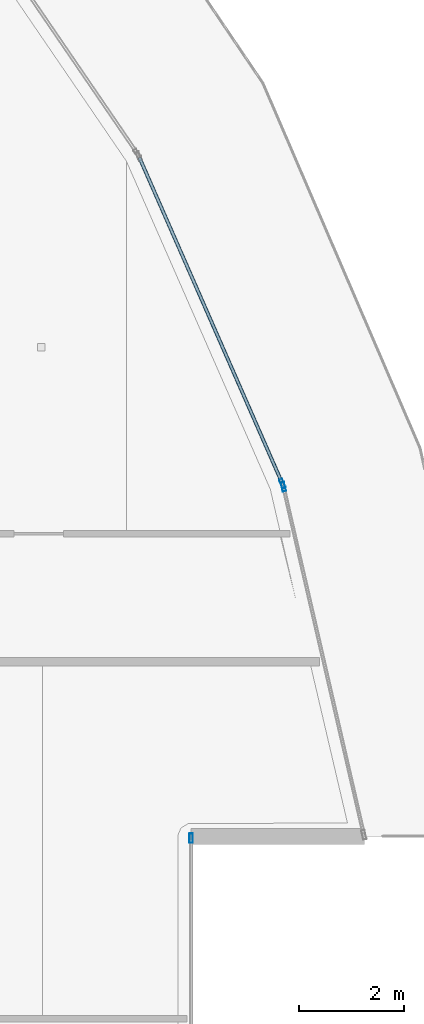
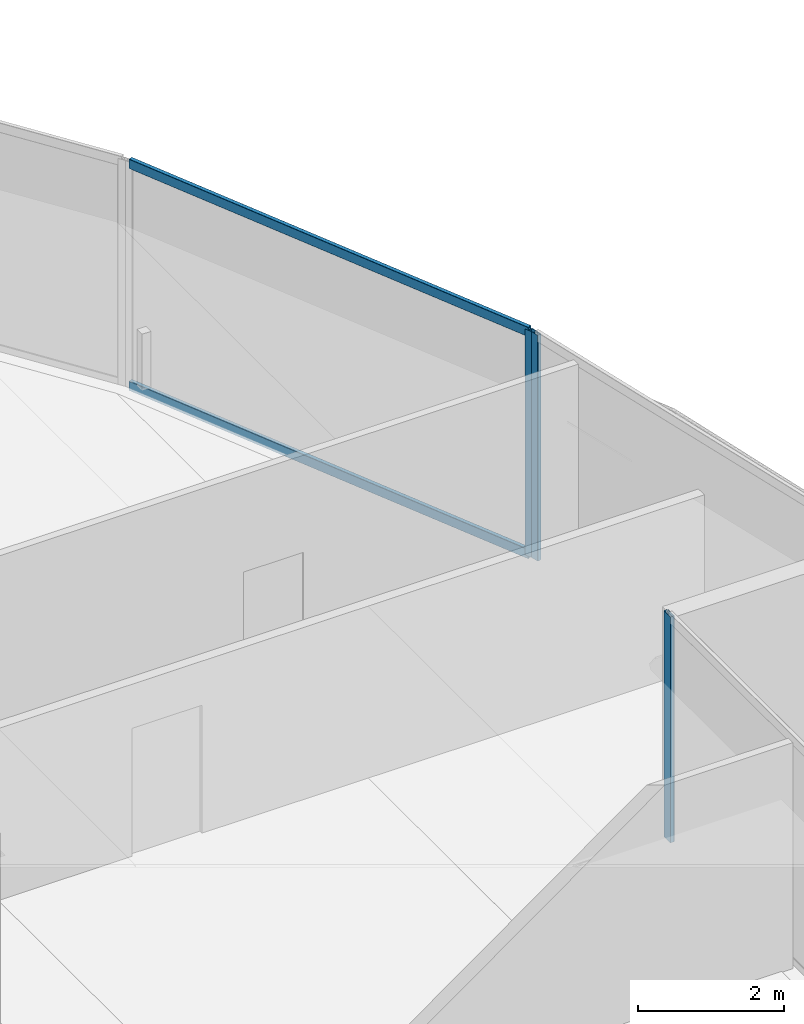
# One storey, part 19 of 42: 5 members, 3 elements without a shape of their own.
"""IFC4 building model written with IfcOpenShell, lengths in metres."""

from ifc_helpers import new_model, si_unit, direction, frame, origin, origin_2d, place, context, subcontext, project, spatial, hollow_rectangle, extrude, material, layer, layer_set, material_profile, profile_set, type_object, element, aggregate, save


model = new_model("IFC4")

# Units and contexts
model_context = context("Model", 3, precision=1e-05, world=origin(), true_north=direction((0.0, 1.0)))
body_context = subcontext(model_context, "Body", "Model", "MODEL_VIEW")
ifc_project = project(units=[si_unit("LENGTHUNIT", "METRE"), si_unit("AREAUNIT", "SQUARE_METRE"), si_unit("VOLUMEUNIT", "CUBIC_METRE"), si_unit("PLANEANGLEUNIT", "RADIAN"), si_unit("MASSUNIT", "GRAM", prefix="KILO")], contexts=[model_context])

# Site, building, storey
site_placement = place(None, origin())
site = spatial("IfcSite", under=ifc_project, at=site_placement, CompositionType="ELEMENT")
building_placement = place(site_placement, origin())
building = spatial("IfcBuilding", under=site, at=building_placement, Name="Qorvath Tower", CompositionType="ELEMENT")
storey_placement = place(building_placement, frame((0.0, 0.0, 121.949951171875)))
storey = spatial("IfcBuildingStorey", under=building, at=storey_placement, Name="L27", CompositionType="ELEMENT", Elevation=121.949951171875)

# Curtain wall, member
ifc_material_1 = material(Name="Anodised aluminium and triple low-E glass", Category="aluminium")
ifc_layer = layer(ifc_material_1, 0.179931640625)
ifc_layer_set = layer_set([ifc_layer], Name="CW-SYS-2")
curtain_wall_type = type_object("IfcCurtainWallType", Name="CW-SYS-2", PredefinedType="NOTDEFINED", material=ifc_layer_set)
curtain_wall_1_placement = place(storey_placement, origin())
curtain_wall_1 = element("IfcCurtainWall", 1, at=curtain_wall_1_placement, inside=storey, type_object=curtain_wall_type, Name="Curtain Wall CW-2 CW-T-L27-9.1", PredefinedType="NOTDEFINED")
ifc_material_2 = material(Name="Anodised aluminium 6063-T6", Category="aluminium")
ifc_material_profile_1 = material_profile(ifc_material_2, hollow_rectangle(XDim=0.06494140625, YDim=0.179931640625, WallThickness=0.00341796875, InnerFilletRadius=0.00341796875, OuterFilletRadius=0.007080078125, at=origin_2d()), Name="CWM 180x65")
ifc_profile_set_1 = profile_set([ifc_material_profile_1], Name="Anodised aluminium 6063-T6")
member_type_1 = type_object("IfcMemberType", Name="CWM-180", PredefinedType="MULLION", material=ifc_profile_set_1)
member_1_placement = place(storey_placement, frame((1.386962890625, 4.935546875, 0.0), z_axis=(0.0, 0.0, 1.0), x_axis=(-1.0, 0.0, 0.0)))
member_1 = element("IfcMember", 2, at=member_1_placement, type_object=member_type_1, Name="CW-2 mullion 3", PredefinedType="MULLION", context=body_context, shape_type="SweptSolid", body=[
    extrude(hollow_rectangle(XDim=0.06494140625, YDim=0.179931640625, WallThickness=0.00341796875, InnerFilletRadius=0.00341796875, OuterFilletRadius=0.007080078125, at=origin_2d()), origin(), (0.0, 0.0, 1.0), 3.77001953125),
])
aggregate(curtain_wall_1, [member_1])

curtain_wall_2_placement = place(storey_placement, origin())
curtain_wall_2 = element("IfcCurtainWall", 3, at=curtain_wall_2_placement, inside=storey, type_object=curtain_wall_type, Name="Curtain Wall CW-2 CW-T-L27-11.1", PredefinedType="NOTDEFINED")
member_2_placement = place(storey_placement, frame((3.151611328125, 11.660400390625, 0.0), z_axis=(0.0, 0.0, 1.0), x_axis=(-0.974296356855, -0.225270080166, 0.0)))
member_2 = element("IfcMember", 4, at=member_2_placement, type_object=member_type_1, Name="CW-2 mullion 2", PredefinedType="MULLION", context=body_context, shape_type="SweptSolid", body=[
    extrude(hollow_rectangle(XDim=0.06494140625, YDim=0.179931640625, WallThickness=0.00341796875, InnerFilletRadius=0.00341796875, OuterFilletRadius=0.007080078125, at=origin_2d()), origin(), (0.0, 0.0, 1.0), 3.77001953125),
])
aggregate(curtain_wall_2, [member_2])

# Curtain wall, members
curtain_wall_3_placement = place(storey_placement, origin())
curtain_wall_3 = element("IfcCurtainWall", 5, at=curtain_wall_3_placement, inside=storey, type_object=curtain_wall_type, Name="Curtain Wall CW-2 CW-T-L27-12.1", PredefinedType="NOTDEFINED")
member_3_placement = place(storey_placement, frame((3.13134765625, 11.721923828125, 0.0), z_axis=(0.0, 0.0, 1.0), x_axis=(-0.915793818987, -0.401648703602, 0.0)))
member_3 = element("IfcMember", 6, at=member_3_placement, type_object=member_type_1, Name="CW-2 mullion 1", PredefinedType="MULLION", context=body_context, shape_type="SweptSolid", body=[
    extrude(hollow_rectangle(XDim=0.06494140625, YDim=0.179931640625, WallThickness=0.00341796875, InnerFilletRadius=0.00341796875, OuterFilletRadius=0.007080078125, at=origin_2d()), origin(), (0.0, 0.0, 1.0), 3.77001953125),
])
ifc_material_3 = material(Name="Anodised aluminium 6063-T6", Category="aluminium")
ifc_material_profile_2 = material_profile(ifc_material_3, hollow_rectangle(XDim=0.06494140625, YDim=0.159912109375, WallThickness=0.00341796875, InnerFilletRadius=0.00341796875, OuterFilletRadius=0.007080078125, at=origin_2d()), Name="CWT 160x65")
ifc_profile_set_2 = profile_set([ifc_material_profile_2], Name="Anodised aluminium 6063-T6")
member_type_2 = type_object("IfcMemberType", Name="CWT-160", PredefinedType="USERDEFINED", material=ifc_profile_set_2)
member_4_placement = place(storey_placement, frame((3.1181640625, 11.751708984375, 0.032470703125), z_axis=(-0.40165088522, 0.91579286217, 0.0), x_axis=(-0.91579286217, -0.40165088522, 0.0)))
member_4 = element("IfcMember", 7, at=member_4_placement, type_object=member_type_2, Name="CW-2 transom 1.1", ObjectType="TRANSOM", PredefinedType="USERDEFINED", context=body_context, shape_type="SweptSolid", body=[
    extrude(hollow_rectangle(XDim=0.06494140625, YDim=0.159912109375, WallThickness=0.00341796875, InnerFilletRadius=0.00341796875, OuterFilletRadius=0.007080078125, at=origin_2d()), origin(), (0.0, 0.0, 1.0), 6.771484375),
])
member_5_placement = place(storey_placement, frame((3.1181640625, 11.751708984375, 3.737548828125), z_axis=(-0.40165088522, 0.91579286217, 0.0), x_axis=(-0.91579286217, -0.40165088522, 0.0)))
member_5 = element("IfcMember", 8, at=member_5_placement, type_object=member_type_2, Name="CW-2 transom 1.2", ObjectType="TRANSOM", PredefinedType="USERDEFINED", context=body_context, shape_type="SweptSolid", body=[
    extrude(hollow_rectangle(XDim=0.06494140625, YDim=0.159912109375, WallThickness=0.00341796875, InnerFilletRadius=0.00341796875, OuterFilletRadius=0.007080078125, at=origin_2d()), origin(), (0.0, 0.0, 1.0), 6.771484375),
])
aggregate(curtain_wall_3, [member_3, member_4, member_5])

save(model, "model.ifc")
